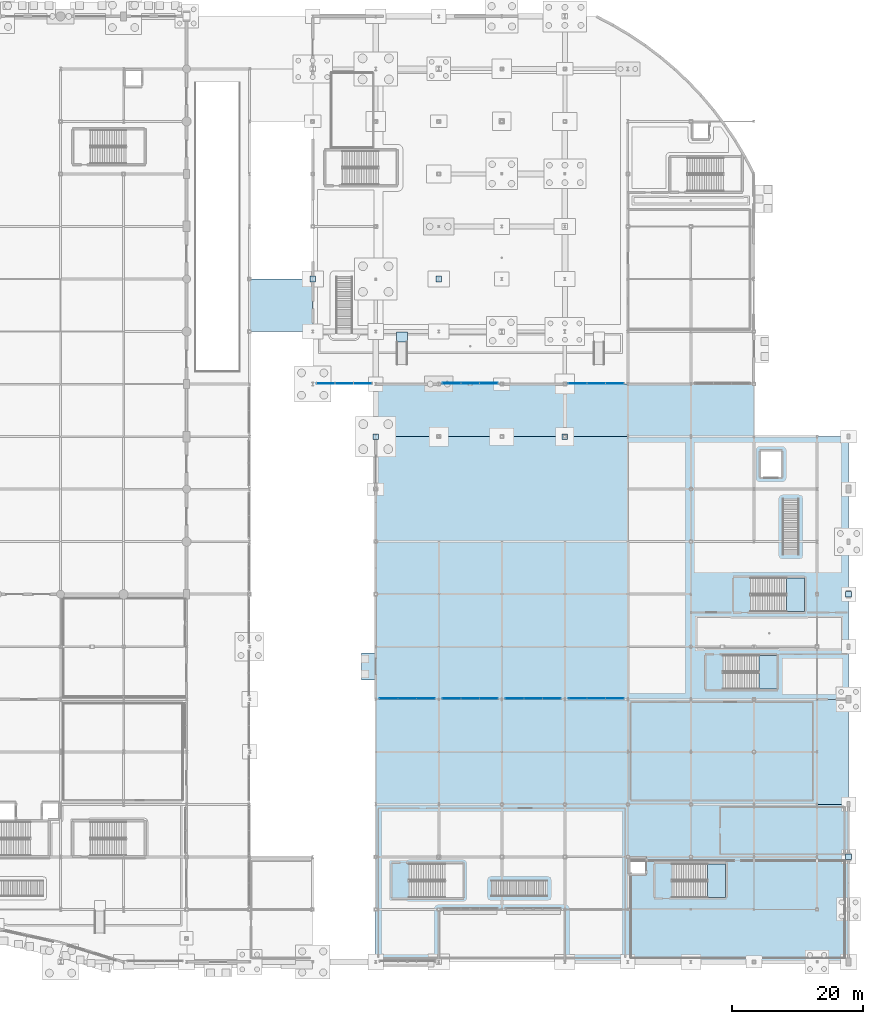
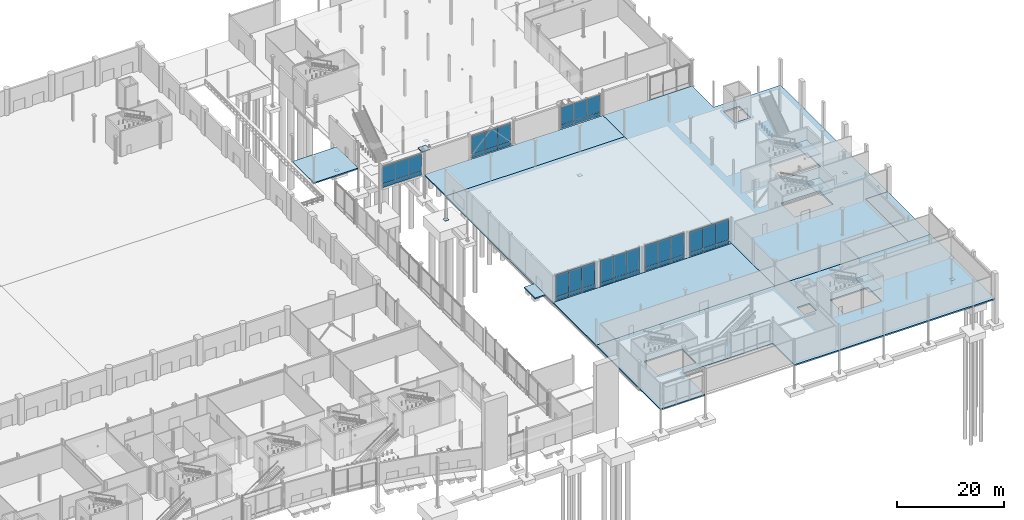
# One storey, part 69 of 124: 48 plates, 12 slabs, 10 elements without a shape of their own.
"""IFC4 building model written with IfcOpenShell, lengths in metres."""

import ifcopenshell
import ifcopenshell.guid

model = None  # the IFC model being written
_history = None  # IfcOwnerHistory: only IFC2X3 demands one
_inside = {}  # id of a spatial element -> (the spatial element, [elements in it])
_under = {}  # id of a project, library or spatial element -> (it, [spatial elements below it])
_declared = {}  # id of a project -> (the project, [libraries it declares])
_typed = {}  # id of a type object -> (the type object, [elements of that type])
_made_of = {}  # id of a material, layer set ... -> (it, [elements and type objects made of it])


def new_model(schema):
    """Start an empty IFC model of exactly this schema.

    Asked for "IFC4X3", IfcOpenShell would pick the latest addendum, in which some entities
    have other attributes; the version numbers below select the first issue.
    IFC2X3 requires an IfcOwnerHistory on every rooted entity: one is made here for all.
    """
    global model, _history
    if schema == "IFC4X3":
        model = ifcopenshell.file(schema_version=(4, 3, 0, 0))
    else:
        model = ifcopenshell.file(schema=schema)
    _inside.clear()
    _under.clear()
    _declared.clear()
    _typed.clear()
    _made_of.clear()
    _history = None
    if model.schema == "IFC2X3":
        org = make("IfcOrganization", Name="unknown")
        user = make(
            "IfcPersonAndOrganization",
            ThePerson=make("IfcPerson", FamilyName="unknown"),
            TheOrganization=org,
        )
        app = make(
            "IfcApplication",
            ApplicationDeveloper=org,
            Version="unknown",
            ApplicationFullName="unknown",
            ApplicationIdentifier="unknown",
        )
        _history = make(
            "IfcOwnerHistory",
            OwningUser=user,
            OwningApplication=app,
            ChangeAction="ADDED",
            CreationDate=0,
        )
    return model


def make(cls, **values):
    """One entity of the class cls with the attributes given. An attribute that is None is left unset."""
    return model.create_entity(
        cls, **{name: value for name, value in values.items() if value is not None}
    )


def rooted(cls, **values):
    """An entity with a GlobalId (a new one), such as an element, a storey or a relation."""
    return make(cls, GlobalId=ifcopenshell.guid.new(), OwnerHistory=_history, **values)


def si_unit(unit_type, name, prefix=None):
    """IfcSIUnit, for example si_unit("LENGTHUNIT", "METRE", prefix="MILLI")."""
    return make("IfcSIUnit", UnitType=unit_type, Prefix=prefix, Name=name)


def assignment(units):
    """IfcUnitAssignment: the units of a project."""
    return None if units is None else make("IfcUnitAssignment", Units=units)


def point(xyz):
    """IfcCartesianPoint."""
    return None if xyz is None else make("IfcCartesianPoint", Coordinates=xyz)


def direction(xyz):
    """IfcDirection."""
    return None if xyz is None else make("IfcDirection", DirectionRatios=xyz)


def frame(location, z_axis=None, x_axis=None):
    """IfcAxis2Placement3D, a coordinate frame: its origin and axes. An axis left out is left unset."""
    return make(
        "IfcAxis2Placement3D",
        Location=point(location),
        Axis=direction(z_axis),
        RefDirection=direction(x_axis),
    )


def frame_2d(location, x_axis=None):
    """IfcAxis2Placement2D, a coordinate frame in the plane: its origin and x axis."""
    return make(
        "IfcAxis2Placement2D", Location=point(location), RefDirection=direction(x_axis)
    )


def origin():
    """The frame at (0, 0, 0) with its axes left unset."""
    return frame((0.0, 0.0, 0.0))


def origin_2d():
    """The frame at (0, 0) in the plane with its x axis left unset."""
    return frame_2d((0.0, 0.0))


def place(relative_to, where):
    """IfcLocalPlacement: puts the frame where relative to a parent placement (None: the world)."""
    return make(
        "IfcLocalPlacement", PlacementRelTo=relative_to, RelativePlacement=where
    )


def context(
    kind, dimensions, precision=None, world=None, true_north=None, identifier=None
):
    """IfcGeometricRepresentationContext, for example the 3D "Model" context."""
    return make(
        "IfcGeometricRepresentationContext",
        ContextIdentifier=identifier,
        ContextType=kind,
        CoordinateSpaceDimension=dimensions,
        Precision=precision,
        WorldCoordinateSystem=world,
        TrueNorth=true_north,
    )


def subcontext(parent, identifier, kind, view, scale=None):
    """IfcGeometricRepresentationSubContext, for example "Body" below "Model"."""
    return make(
        "IfcGeometricRepresentationSubContext",
        ContextIdentifier=identifier,
        ContextType=kind,
        ParentContext=parent,
        TargetScale=scale,
        TargetView=view,
    )


def project(units=None, contexts=None):
    """IfcProject with its units and contexts."""
    return rooted(
        "IfcProject",
        Name="project",
        RepresentationContexts=contexts,
        UnitsInContext=assignment(units),
    )


def spatial(cls, under=None, at=None, **own):
    """A site, building, storey or space (cls), placed at a placement, below another one or the project."""
    s = rooted(cls, ObjectPlacement=at, **own)
    if under is not None:
        _under.setdefault(under.id(), (under, []))[1].append(s)
    return s


def polyline(points):
    """IfcPolyline through the points."""
    return make("IfcPolyline", Points=[point(p) for p in points])


def profile(cls, at=None, kind="AREA", **sizes):
    """A parametric profile (cls). Its sizes go by their IFC names, for example OverallWidth=200.0."""
    return make(cls, ProfileType=kind, Position=at, **sizes)


def rectangle(**sizes):
    """IfcRectangleProfileDef."""
    return profile("IfcRectangleProfileDef", **sizes)


def outline(outer, holes=None, kind="AREA"):
    """IfcArbitraryClosedProfileDef: a profile drawn as a closed curve; with holes, ...WithVoids."""
    if holes is None:
        return make("IfcArbitraryClosedProfileDef", ProfileType=kind, OuterCurve=outer)
    return make(
        "IfcArbitraryProfileDefWithVoids",
        ProfileType=kind,
        OuterCurve=outer,
        InnerCurves=holes,
    )


def extrude(swept, where, along, depth):
    """IfcExtrudedAreaSolid: the profile swept, set in the frame where, extruded along a direction by depth."""
    return make(
        "IfcExtrudedAreaSolid",
        SweptArea=swept,
        Position=where,
        ExtrudedDirection=direction(along),
        Depth=depth,
    )


def shape(context_of_items, identifier, shape_type, items):
    """IfcShapeRepresentation: the items that make up one representation, for example the "Body"."""
    return make(
        "IfcShapeRepresentation",
        ContextOfItems=context_of_items,
        RepresentationIdentifier=identifier,
        RepresentationType=shape_type,
        Items=items,
    )


def material(Name=None, Category=None):
    """IfcMaterial."""
    return make("IfcMaterial", Name=Name, Category=Category)


def layer(
    of_material, thickness, ventilated=None, Name=None, Category=None, Priority=None
):
    """IfcMaterialLayer: one layer of a wall or slab, of a material (None: an air gap)."""
    return make(
        "IfcMaterialLayer",
        Material=of_material,
        LayerThickness=thickness,
        IsVentilated=ventilated,
        Name=Name,
        Category=Category,
        Priority=Priority,
    )


def layer_set(layers, Name=None):
    """IfcMaterialLayerSet."""
    return make("IfcMaterialLayerSet", MaterialLayers=layers, LayerSetName=Name)


def made_of(thing, what):
    """Note that an element or type object is made of a material, layer set ...; save() writes the relation."""
    if what is not None:
        _made_of.setdefault(what.id(), (what, []))[1].append(thing)
    return thing


def type_object(cls, material=None, **own):
    """A type object (cls), such as IfcWallType, which elements share."""
    return made_of(rooted(cls, **own), material)


def element(
    cls,
    number,
    at=None,
    inside=None,
    cuts=None,
    type_object=None,
    material=None,
    context=None,
    identifier="Body",
    shape_type=None,
    held_by="IfcProductDefinitionShape",
    body=None,
    shapes=None,
    **own,
):
    """One element of the class cls, such as IfcWall. Its Tag is "e" and its number.

    at: its placement. inside: the storey or other place that contains it. cuts: it is an
    opening in that element (IfcRelVoidsElement). A single representation is given by context,
    identifier, shape_type and body (its items); several are given by shapes. held_by: the class
    of the entity that holds the representations. save() writes the other relations.
    """
    e = rooted(cls, Tag="e%d" % number, ObjectPlacement=at, **own)
    if body is not None:
        shapes = [shape(context, identifier, shape_type, body)]
    if shapes is not None:
        e.Representation = make(held_by, Representations=shapes)
    if inside is not None:
        _inside.setdefault(inside.id(), (inside, []))[1].append(e)
    if cuts is not None:
        rooted(
            "IfcRelVoidsElement", RelatingBuildingElement=cuts, RelatedOpeningElement=e
        )
    if type_object is not None:
        _typed.setdefault(type_object.id(), (type_object, []))[1].append(e)
    return made_of(e, material)


def aggregate(whole, parts):
    """IfcRelAggregates: a whole, such as a stair, and the parts it consists of."""
    return rooted("IfcRelAggregates", RelatingObject=whole, RelatedObjects=parts)


def save(model, path):
    """Write the relations noted so far, then the file.

    IfcRelAggregates (storeys below a building ...), IfcRelContainedInSpatialStructure (elements
    in a storey), IfcRelDefinesByType, IfcRelAssociatesMaterial and IfcRelDeclares: one each for
    every whole, place, type object, material and project.
    """
    for whole, parts in _under.values():
        aggregate(whole, parts)
    for where, things in _inside.values():
        rooted(
            "IfcRelContainedInSpatialStructure",
            RelatedElements=things,
            RelatingStructure=where,
        )
    for kind, things in _typed.values():
        rooted("IfcRelDefinesByType", RelatedObjects=things, RelatingType=kind)
    for what, things in _made_of.values():
        rooted("IfcRelAssociatesMaterial", RelatedObjects=things, RelatingMaterial=what)
    for by, libraries in _declared.values():
        rooted("IfcRelDeclares", RelatingContext=by, RelatedDefinitions=libraries)
    model.write(path)


model = new_model("IFC4")

# Units and contexts
model_context = context("Model", 3, precision=1e-05, world=origin(), true_north=direction((0.0, 1.0)))
body_context = subcontext(model_context, "Body", "Model", "MODEL_VIEW")
ifc_project = project(units=[si_unit("LENGTHUNIT", "METRE"), si_unit("AREAUNIT", "SQUARE_METRE"), si_unit("VOLUMEUNIT", "CUBIC_METRE"), si_unit("PLANEANGLEUNIT", "RADIAN"), si_unit("MASSUNIT", "GRAM", prefix="KILO")], contexts=[model_context])

# Site, building, storey
site_placement = place(None, origin())
site = spatial("IfcSite", under=ifc_project, at=site_placement, CompositionType="ELEMENT")
building_placement = place(site_placement, origin())
building = spatial("IfcBuilding", under=site, at=building_placement, Name="Danafjord Basin Convention Centre", CompositionType="ELEMENT")
storey_placement = place(building_placement, origin())
storey = spatial("IfcBuildingStorey", under=building, at=storey_placement, Name="L00", CompositionType="ELEMENT", Elevation=0.0)

# Plates
ifc_material_1 = material(Name="Steel S355", Category="steel")
ifc_layer_1 = layer(ifc_material_1, 0.0400390625)
ifc_layer_set_1 = layer_set([ifc_layer_1], Name="Steel S355")
plate_type_1 = type_object("IfcPlateType", Name="PLT-BP-40", PredefinedType="SHEET", material=ifc_layer_set_1)
for number, where, z_axis, x_axis, name in (
    (1, (134.39990234375, 104.0, -5.39990234375), (0.0, 0.0, 1.0), (1.0, 0.0, 0.0), "L00 column baseplate BP-40 at (134.4, 104.0)"),
    (2, (144.0, 80.0, -5.39990234375), (0.0, 0.0, 1.0), (1.0, 0.0, 0.0), "L00 column baseplate BP-40 at (144.0, 80.0)"),
    (3, (153.60009765625, 104.0, -5.39990234375), (0.0, 0.0, 1.0), (1.0, 0.0, 0.0), "L00 column baseplate BP-40 at (153.6, 104.0)"),
    (4, (172.800048828125, 80.0, -5.39990234375), (0.0, 0.0, 1.0), (1.0, 0.0, 0.0), "L00 column baseplate BP-40 at (172.8, 80.0)"),
    (5, (216.0, 16.0, -5.39990234375), (0.0, 0.0, 1.0), (1.0, 0.0, 0.0), "L00 column baseplate BP-40 at (216.0, 16.0)"),
    (6, (216.0, 56.0, -5.39990234375), (0.0, 0.0, 1.0), (1.0, 0.0, 0.0), "L00 column baseplate BP-40 at (216.0, 56.0)"),
):
    element("IfcPlate", number, at=place(storey_placement, frame(where, z_axis=z_axis, x_axis=x_axis)), inside=storey, type_object=plate_type_1, Name=name, PredefinedType="SHEET", context=body_context, shape_type="SweptSolid", body=[
        extrude(rectangle(XDim=0.85009765625, YDim=0.85009765625, at=origin_2d()), origin(), (0.0, 0.0, 1.0), 0.0400390625),
    ])

# Curtain wall, plates
ifc_material_2 = material(Name="Anodised aluminium and triple glazing", Category="aluminium")
curtain_wall_type_1 = type_object("IfcCurtainWallType", Name="CW-CW-DRUM", PredefinedType="NOTDEFINED", material=ifc_material_2)
curtain_wall_1_placement = place(storey_placement, origin())
curtain_wall_1 = element("IfcCurtainWall", 7, at=curtain_wall_1_placement, inside=storey, type_object=curtain_wall_type_1, Name="L00 CW-DRUM unitised curtain wall bay 114", PredefinedType="NOTDEFINED")
ifc_material_3 = material(Name="Triple low-E insulated glazing", Category="glass")
ifc_layer_2 = layer(ifc_material_3, 0.0380859375)
ifc_layer_set_2 = layer_set([ifc_layer_2], Name="Triple low-E insulated glazing")
plate_type_2 = type_object("IfcPlateType", Name="PLT-GP-38", PredefinedType="CURTAIN_PANEL", material=ifc_layer_set_2)
plate_1_placement = place(storey_placement, frame((136.39990234375, 88.1201171875, 0.97802734375), z_axis=(0.0, 0.0, 1.0), x_axis=(1.0, 0.0, 0.0)))
plate_1 = element("IfcPlate", 8, at=plate_1_placement, type_object=plate_type_2, Name="CW-L00-114 vision glazing unit 1", PredefinedType="CURTAIN_PANEL", context=body_context, shape_type="SweptSolid", body=[
    extrude(rectangle(XDim=2.743896484375, YDim=0.0380859375, at=origin_2d()), origin(), (0.0, 0.0, 1.0), 3.904052734375),
])
plate_2_placement = place(storey_placement, frame((139.199951171875, 88.1201171875, 0.97802734375), z_axis=(0.0, 0.0, 1.0), x_axis=(1.0, 0.0, 0.0)))
plate_2 = element("IfcPlate", 9, at=plate_2_placement, type_object=plate_type_2, Name="CW-L00-114 vision glazing unit 2", PredefinedType="CURTAIN_PANEL", context=body_context, shape_type="SweptSolid", body=[
    extrude(rectangle(XDim=2.743896484375, YDim=0.0380859375, at=origin_2d()), origin(), (0.0, 0.0, 1.0), 3.904052734375),
])
plate_3_placement = place(storey_placement, frame((142.0, 88.1201171875, 0.97802734375), z_axis=(0.0, 0.0, 1.0), x_axis=(1.0, 0.0, 0.0)))
plate_3 = element("IfcPlate", 10, at=plate_3_placement, type_object=plate_type_2, Name="CW-L00-114 vision glazing unit 3", PredefinedType="CURTAIN_PANEL", context=body_context, shape_type="SweptSolid", body=[
    extrude(rectangle(XDim=2.743896484375, YDim=0.0380859375, at=origin_2d()), origin(), (0.0, 0.0, 1.0), 3.904052734375),
])

curtain_wall_2_placement = place(storey_placement, origin())
curtain_wall_2 = element("IfcCurtainWall", 11, at=curtain_wall_2_placement, inside=storey, type_object=curtain_wall_type_1, Name="L00 CW-DRUM unitised curtain wall bay 116", PredefinedType="NOTDEFINED")
plate_4_placement = place(storey_placement, frame((174.800048828125, 88.1201171875, 0.97802734375), z_axis=(0.0, 0.0, 1.0), x_axis=(1.0, 0.0, 0.0)))
plate_4 = element("IfcPlate", 12, at=plate_4_placement, type_object=plate_type_2, Name="CW-L00-116 vision glazing unit 1", PredefinedType="CURTAIN_PANEL", context=body_context, shape_type="SweptSolid", body=[
    extrude(rectangle(XDim=2.743896484375, YDim=0.0380859375, at=origin_2d()), origin(), (0.0, 0.0, 1.0), 3.904052734375),
])
plate_5_placement = place(storey_placement, frame((177.60009765625, 88.1201171875, 0.97802734375), z_axis=(0.0, 0.0, 1.0), x_axis=(1.0, 0.0, 0.0)))
plate_5 = element("IfcPlate", 13, at=plate_5_placement, type_object=plate_type_2, Name="CW-L00-116 vision glazing unit 2", PredefinedType="CURTAIN_PANEL", context=body_context, shape_type="SweptSolid", body=[
    extrude(rectangle(XDim=2.743896484375, YDim=0.0380859375, at=origin_2d()), origin(), (0.0, 0.0, 1.0), 3.904052734375),
])
plate_6_placement = place(storey_placement, frame((180.39990234375, 88.1201171875, 0.97802734375), z_axis=(0.0, 0.0, 1.0), x_axis=(1.0, 0.0, 0.0)))
plate_6 = element("IfcPlate", 14, at=plate_6_placement, type_object=plate_type_2, Name="CW-L00-116 vision glazing unit 3", PredefinedType="CURTAIN_PANEL", context=body_context, shape_type="SweptSolid", body=[
    extrude(rectangle(XDim=2.743896484375, YDim=0.0380859375, at=origin_2d()), origin(), (0.0, 0.0, 1.0), 3.904052734375),
])

curtain_wall_type_2 = type_object("IfcCurtainWallType", Name="CW-CW-HARB", PredefinedType="NOTDEFINED", material=ifc_material_2)
curtain_wall_3_placement = place(storey_placement, origin())
curtain_wall_3 = element("IfcCurtainWall", 15, at=curtain_wall_3_placement, inside=storey, type_object=curtain_wall_type_2, Name="L00 CW-HARB unitised curtain wall bay 130", PredefinedType="NOTDEFINED")
plate_7_placement = place(storey_placement, frame((146.0, 40.1201171875, 0.97802734375), z_axis=(0.0, 0.0, 1.0), x_axis=(1.0, 0.0, 0.0)))
plate_7 = element("IfcPlate", 16, at=plate_7_placement, type_object=plate_type_2, Name="CW-L00-130 vision glazing unit 1", PredefinedType="CURTAIN_PANEL", context=body_context, shape_type="SweptSolid", body=[
    extrude(rectangle(XDim=2.743896484375, YDim=0.0380859375, at=origin_2d()), origin(), (0.0, 0.0, 1.0), 4.93408203125),
])
plate_8_placement = place(storey_placement, frame((148.800048828125, 40.1201171875, 0.97802734375), z_axis=(0.0, 0.0, 1.0), x_axis=(1.0, 0.0, 0.0)))
plate_8 = element("IfcPlate", 17, at=plate_8_placement, type_object=plate_type_2, Name="CW-L00-130 vision glazing unit 2", PredefinedType="CURTAIN_PANEL", context=body_context, shape_type="SweptSolid", body=[
    extrude(rectangle(XDim=2.743896484375, YDim=0.0380859375, at=origin_2d()), origin(), (0.0, 0.0, 1.0), 4.93408203125),
])
plate_9_placement = place(storey_placement, frame((151.60009765625, 40.1201171875, 0.97802734375), z_axis=(0.0, 0.0, 1.0), x_axis=(1.0, 0.0, 0.0)))
plate_9 = element("IfcPlate", 18, at=plate_9_placement, type_object=plate_type_2, Name="CW-L00-130 vision glazing unit 3", PredefinedType="CURTAIN_PANEL", context=body_context, shape_type="SweptSolid", body=[
    extrude(rectangle(XDim=2.743896484375, YDim=0.0380859375, at=origin_2d()), origin(), (0.0, 0.0, 1.0), 4.93408203125),
])

curtain_wall_4_placement = place(storey_placement, origin())
curtain_wall_4 = element("IfcCurtainWall", 19, at=curtain_wall_4_placement, inside=storey, type_object=curtain_wall_type_2, Name="L00 CW-HARB unitised curtain wall bay 132", PredefinedType="NOTDEFINED")
plate_10_placement = place(storey_placement, frame((165.199951171875, 40.1201171875, 0.97802734375), z_axis=(0.0, 0.0, 1.0), x_axis=(1.0, 0.0, 0.0)))
plate_10 = element("IfcPlate", 20, at=plate_10_placement, type_object=plate_type_2, Name="CW-L00-132 vision glazing unit 1", PredefinedType="CURTAIN_PANEL", context=body_context, shape_type="SweptSolid", body=[
    extrude(rectangle(XDim=2.743896484375, YDim=0.0380859375, at=origin_2d()), origin(), (0.0, 0.0, 1.0), 4.93408203125),
])
plate_11_placement = place(storey_placement, frame((168.0, 40.1201171875, 0.97802734375), z_axis=(0.0, 0.0, 1.0), x_axis=(1.0, 0.0, 0.0)))
plate_11 = element("IfcPlate", 21, at=plate_11_placement, type_object=plate_type_2, Name="CW-L00-132 vision glazing unit 2", PredefinedType="CURTAIN_PANEL", context=body_context, shape_type="SweptSolid", body=[
    extrude(rectangle(XDim=2.743896484375, YDim=0.0380859375, at=origin_2d()), origin(), (0.0, 0.0, 1.0), 4.93408203125),
])
plate_12_placement = place(storey_placement, frame((170.800048828125, 40.1201171875, 0.97802734375), z_axis=(0.0, 0.0, 1.0), x_axis=(1.0, 0.0, 0.0)))
plate_12 = element("IfcPlate", 22, at=plate_12_placement, type_object=plate_type_2, Name="CW-L00-132 vision glazing unit 3", PredefinedType="CURTAIN_PANEL", context=body_context, shape_type="SweptSolid", body=[
    extrude(rectangle(XDim=2.743896484375, YDim=0.0380859375, at=origin_2d()), origin(), (0.0, 0.0, 1.0), 4.93408203125),
])

curtain_wall_5_placement = place(storey_placement, origin())
curtain_wall_5 = element("IfcCurtainWall", 23, at=curtain_wall_5_placement, inside=storey, type_object=curtain_wall_type_1, Name="L00 CW-DRUM unitised curtain wall bay 115", PredefinedType="NOTDEFINED")
ifc_layer_3 = layer(ifc_material_3, 0.048095703125)
ifc_layer_set_3 = layer_set([ifc_layer_3], Name="Triple low-E insulated glazing")
plate_type_3 = type_object("IfcPlateType", Name="PLT-GP-48", PredefinedType="CURTAIN_PANEL", material=ifc_layer_set_3)
plate_13_placement = place(storey_placement, frame((155.60009765625, 88.1201171875, 0.97802734375), z_axis=(0.0, 0.0, 1.0), x_axis=(1.0, 0.0, 0.0)))
plate_13 = element("IfcPlate", 24, at=plate_13_placement, type_object=plate_type_3, Name="CW-L00-115 vision glazing unit 1", PredefinedType="CURTAIN_PANEL", context=body_context, shape_type="SweptSolid", body=[
    extrude(rectangle(XDim=2.743896484375, YDim=0.048095703125, at=origin_2d()), origin(), (0.0, 0.0, 1.0), 4.10400390625),
])
plate_14_placement = place(storey_placement, frame((158.39990234375, 88.1201171875, 0.97802734375), z_axis=(0.0, 0.0, 1.0), x_axis=(1.0, 0.0, 0.0)))
plate_14 = element("IfcPlate", 25, at=plate_14_placement, type_object=plate_type_3, Name="CW-L00-115 vision glazing unit 2", PredefinedType="CURTAIN_PANEL", context=body_context, shape_type="SweptSolid", body=[
    extrude(rectangle(XDim=2.743896484375, YDim=0.048095703125, at=origin_2d()), origin(), (0.0, 0.0, 1.0), 4.10400390625),
])
plate_15_placement = place(storey_placement, frame((161.199951171875, 88.1201171875, 0.97802734375), z_axis=(0.0, 0.0, 1.0), x_axis=(1.0, 0.0, 0.0)))
plate_15 = element("IfcPlate", 26, at=plate_15_placement, type_object=plate_type_3, Name="CW-L00-115 vision glazing unit 3", PredefinedType="CURTAIN_PANEL", context=body_context, shape_type="SweptSolid", body=[
    extrude(rectangle(XDim=2.743896484375, YDim=0.048095703125, at=origin_2d()), origin(), (0.0, 0.0, 1.0), 4.10400390625),
])

curtain_wall_6_placement = place(storey_placement, origin())
curtain_wall_6 = element("IfcCurtainWall", 27, at=curtain_wall_6_placement, inside=storey, type_object=curtain_wall_type_2, Name="L00 CW-HARB unitised curtain wall bay 131", PredefinedType="NOTDEFINED")
plate_16_placement = place(storey_placement, frame((155.60009765625, 40.1201171875, 0.97802734375), z_axis=(0.0, 0.0, 1.0), x_axis=(1.0, 0.0, 0.0)))
plate_16 = element("IfcPlate", 28, at=plate_16_placement, type_object=plate_type_3, Name="CW-L00-131 vision glazing unit 1", PredefinedType="CURTAIN_PANEL", context=body_context, shape_type="SweptSolid", body=[
    extrude(rectangle(XDim=2.743896484375, YDim=0.048095703125, at=origin_2d()), origin(), (0.0, 0.0, 1.0), 4.93408203125),
])
plate_17_placement = place(storey_placement, frame((158.39990234375, 40.1201171875, 0.97802734375), z_axis=(0.0, 0.0, 1.0), x_axis=(1.0, 0.0, 0.0)))
plate_17 = element("IfcPlate", 29, at=plate_17_placement, type_object=plate_type_3, Name="CW-L00-131 vision glazing unit 2", PredefinedType="CURTAIN_PANEL", context=body_context, shape_type="SweptSolid", body=[
    extrude(rectangle(XDim=2.743896484375, YDim=0.048095703125, at=origin_2d()), origin(), (0.0, 0.0, 1.0), 4.93408203125),
])
plate_18_placement = place(storey_placement, frame((161.199951171875, 40.1201171875, 0.97802734375), z_axis=(0.0, 0.0, 1.0), x_axis=(1.0, 0.0, 0.0)))
plate_18 = element("IfcPlate", 30, at=plate_18_placement, type_object=plate_type_3, Name="CW-L00-131 vision glazing unit 3", PredefinedType="CURTAIN_PANEL", context=body_context, shape_type="SweptSolid", body=[
    extrude(rectangle(XDim=2.743896484375, YDim=0.048095703125, at=origin_2d()), origin(), (0.0, 0.0, 1.0), 4.93408203125),
])

curtain_wall_7_placement = place(storey_placement, origin())
curtain_wall_7 = element("IfcCurtainWall", 31, at=curtain_wall_7_placement, inside=storey, type_object=curtain_wall_type_2, Name="L00 CW-HARB unitised curtain wall bay 133", PredefinedType="NOTDEFINED")
plate_19_placement = place(storey_placement, frame((174.800048828125, 40.1201171875, 0.97802734375), z_axis=(0.0, 0.0, 1.0), x_axis=(1.0, 0.0, 0.0)))
plate_19 = element("IfcPlate", 32, at=plate_19_placement, type_object=plate_type_3, Name="CW-L00-133 vision glazing unit 1", PredefinedType="CURTAIN_PANEL", context=body_context, shape_type="SweptSolid", body=[
    extrude(rectangle(XDim=2.743896484375, YDim=0.048095703125, at=origin_2d()), origin(), (0.0, 0.0, 1.0), 4.68408203125),
])
plate_20_placement = place(storey_placement, frame((177.60009765625, 40.1201171875, 0.97802734375), z_axis=(0.0, 0.0, 1.0), x_axis=(1.0, 0.0, 0.0)))
plate_20 = element("IfcPlate", 33, at=plate_20_placement, type_object=plate_type_3, Name="CW-L00-133 vision glazing unit 2", PredefinedType="CURTAIN_PANEL", context=body_context, shape_type="SweptSolid", body=[
    extrude(rectangle(XDim=2.743896484375, YDim=0.048095703125, at=origin_2d()), origin(), (0.0, 0.0, 1.0), 4.68408203125),
])
plate_21_placement = place(storey_placement, frame((180.39990234375, 40.1201171875, 0.97802734375), z_axis=(0.0, 0.0, 1.0), x_axis=(1.0, 0.0, 0.0)))
plate_21 = element("IfcPlate", 34, at=plate_21_placement, type_object=plate_type_3, Name="CW-L00-133 vision glazing unit 3", PredefinedType="CURTAIN_PANEL", context=body_context, shape_type="SweptSolid", body=[
    extrude(rectangle(XDim=2.743896484375, YDim=0.048095703125, at=origin_2d()), origin(), (0.0, 0.0, 1.0), 4.68408203125),
])

# Plate
ifc_material_4 = material(Name="Insulated aluminium spandrel cassette", Category="aluminium")
ifc_layer_4 = layer(ifc_material_4, 0.070068359375)
ifc_layer_set_4 = layer_set([ifc_layer_4], Name="Insulated aluminium spandrel cassette")
plate_type_4 = type_object("IfcPlateType", Name="PLT-SPN-70", PredefinedType="CURTAIN_PANEL", material=ifc_layer_set_4)
plate_22_placement = place(storey_placement, frame((136.39990234375, 88.1201171875, 0.087890625), z_axis=(0.0, 0.0, 1.0), x_axis=(1.0, 0.0, 0.0)))
plate_22 = element("IfcPlate", 35, at=plate_22_placement, type_object=plate_type_4, Name="CW-L00-114 spandrel cassette 1", PredefinedType="CURTAIN_PANEL", context=body_context, shape_type="SweptSolid", body=[
    extrude(rectangle(XDim=2.743896484375, YDim=0.070068359375, at=origin_2d()), origin(), (0.0, 0.0, 1.0), 0.833984375),
])

plate_23_placement = place(storey_placement, frame((139.199951171875, 88.1201171875, 0.087890625), z_axis=(0.0, 0.0, 1.0), x_axis=(1.0, 0.0, 0.0)))
plate_23 = element("IfcPlate", 36, at=plate_23_placement, type_object=plate_type_4, Name="CW-L00-114 spandrel cassette 2", PredefinedType="CURTAIN_PANEL", context=body_context, shape_type="SweptSolid", body=[
    extrude(rectangle(XDim=2.743896484375, YDim=0.070068359375, at=origin_2d()), origin(), (0.0, 0.0, 1.0), 0.833984375),
])

plate_24_placement = place(storey_placement, frame((142.0, 88.1201171875, 0.087890625), z_axis=(0.0, 0.0, 1.0), x_axis=(1.0, 0.0, 0.0)))
plate_24 = element("IfcPlate", 37, at=plate_24_placement, type_object=plate_type_4, Name="CW-L00-114 spandrel cassette 3", PredefinedType="CURTAIN_PANEL", context=body_context, shape_type="SweptSolid", body=[
    extrude(rectangle(XDim=2.743896484375, YDim=0.070068359375, at=origin_2d()), origin(), (0.0, 0.0, 1.0), 0.833984375),
])

aggregate(curtain_wall_1, [plate_22, plate_1, plate_23, plate_2, plate_24, plate_3])

plate_25_placement = place(storey_placement, frame((174.800048828125, 88.1201171875, 0.087890625), z_axis=(0.0, 0.0, 1.0), x_axis=(1.0, 0.0, 0.0)))
plate_25 = element("IfcPlate", 38, at=plate_25_placement, type_object=plate_type_4, Name="CW-L00-116 spandrel cassette 1", PredefinedType="CURTAIN_PANEL", context=body_context, shape_type="SweptSolid", body=[
    extrude(rectangle(XDim=2.743896484375, YDim=0.070068359375, at=origin_2d()), origin(), (0.0, 0.0, 1.0), 0.833984375),
])

plate_26_placement = place(storey_placement, frame((177.60009765625, 88.1201171875, 0.087890625), z_axis=(0.0, 0.0, 1.0), x_axis=(1.0, 0.0, 0.0)))
plate_26 = element("IfcPlate", 39, at=plate_26_placement, type_object=plate_type_4, Name="CW-L00-116 spandrel cassette 2", PredefinedType="CURTAIN_PANEL", context=body_context, shape_type="SweptSolid", body=[
    extrude(rectangle(XDim=2.743896484375, YDim=0.070068359375, at=origin_2d()), origin(), (0.0, 0.0, 1.0), 0.833984375),
])

plate_27_placement = place(storey_placement, frame((180.39990234375, 88.1201171875, 0.087890625), z_axis=(0.0, 0.0, 1.0), x_axis=(1.0, 0.0, 0.0)))
plate_27 = element("IfcPlate", 40, at=plate_27_placement, type_object=plate_type_4, Name="CW-L00-116 spandrel cassette 3", PredefinedType="CURTAIN_PANEL", context=body_context, shape_type="SweptSolid", body=[
    extrude(rectangle(XDim=2.743896484375, YDim=0.070068359375, at=origin_2d()), origin(), (0.0, 0.0, 1.0), 0.833984375),
])

aggregate(curtain_wall_2, [plate_25, plate_4, plate_26, plate_5, plate_27, plate_6])

plate_28_placement = place(storey_placement, frame((146.0, 40.1201171875, 0.087890625), z_axis=(0.0, 0.0, 1.0), x_axis=(1.0, 0.0, 0.0)))
plate_28 = element("IfcPlate", 41, at=plate_28_placement, type_object=plate_type_4, Name="CW-L00-130 spandrel cassette 1", PredefinedType="CURTAIN_PANEL", context=body_context, shape_type="SweptSolid", body=[
    extrude(rectangle(XDim=2.743896484375, YDim=0.070068359375, at=origin_2d()), origin(), (0.0, 0.0, 1.0), 0.833984375),
])

plate_29_placement = place(storey_placement, frame((148.800048828125, 40.1201171875, 0.087890625), z_axis=(0.0, 0.0, 1.0), x_axis=(1.0, 0.0, 0.0)))
plate_29 = element("IfcPlate", 42, at=plate_29_placement, type_object=plate_type_4, Name="CW-L00-130 spandrel cassette 2", PredefinedType="CURTAIN_PANEL", context=body_context, shape_type="SweptSolid", body=[
    extrude(rectangle(XDim=2.743896484375, YDim=0.070068359375, at=origin_2d()), origin(), (0.0, 0.0, 1.0), 0.833984375),
])

plate_30_placement = place(storey_placement, frame((151.60009765625, 40.1201171875, 0.087890625), z_axis=(0.0, 0.0, 1.0), x_axis=(1.0, 0.0, 0.0)))
plate_30 = element("IfcPlate", 43, at=plate_30_placement, type_object=plate_type_4, Name="CW-L00-130 spandrel cassette 3", PredefinedType="CURTAIN_PANEL", context=body_context, shape_type="SweptSolid", body=[
    extrude(rectangle(XDim=2.743896484375, YDim=0.070068359375, at=origin_2d()), origin(), (0.0, 0.0, 1.0), 0.833984375),
])

aggregate(curtain_wall_3, [plate_28, plate_7, plate_29, plate_8, plate_30, plate_9])

plate_31_placement = place(storey_placement, frame((165.199951171875, 40.1201171875, 0.087890625), z_axis=(0.0, 0.0, 1.0), x_axis=(1.0, 0.0, 0.0)))
plate_31 = element("IfcPlate", 44, at=plate_31_placement, type_object=plate_type_4, Name="CW-L00-132 spandrel cassette 1", PredefinedType="CURTAIN_PANEL", context=body_context, shape_type="SweptSolid", body=[
    extrude(rectangle(XDim=2.743896484375, YDim=0.070068359375, at=origin_2d()), origin(), (0.0, 0.0, 1.0), 0.833984375),
])

plate_32_placement = place(storey_placement, frame((168.0, 40.1201171875, 0.087890625), z_axis=(0.0, 0.0, 1.0), x_axis=(1.0, 0.0, 0.0)))
plate_32 = element("IfcPlate", 45, at=plate_32_placement, type_object=plate_type_4, Name="CW-L00-132 spandrel cassette 2", PredefinedType="CURTAIN_PANEL", context=body_context, shape_type="SweptSolid", body=[
    extrude(rectangle(XDim=2.743896484375, YDim=0.070068359375, at=origin_2d()), origin(), (0.0, 0.0, 1.0), 0.833984375),
])

plate_33_placement = place(storey_placement, frame((170.800048828125, 40.1201171875, 0.087890625), z_axis=(0.0, 0.0, 1.0), x_axis=(1.0, 0.0, 0.0)))
plate_33 = element("IfcPlate", 46, at=plate_33_placement, type_object=plate_type_4, Name="CW-L00-132 spandrel cassette 3", PredefinedType="CURTAIN_PANEL", context=body_context, shape_type="SweptSolid", body=[
    extrude(rectangle(XDim=2.743896484375, YDim=0.070068359375, at=origin_2d()), origin(), (0.0, 0.0, 1.0), 0.833984375),
])

aggregate(curtain_wall_4, [plate_31, plate_10, plate_32, plate_11, plate_33, plate_12])

ifc_layer_5 = layer(ifc_material_4, 0.090087890625)
ifc_layer_set_5 = layer_set([ifc_layer_5], Name="Insulated aluminium spandrel cassette")
plate_type_5 = type_object("IfcPlateType", Name="PLT-SPN-90", PredefinedType="CURTAIN_PANEL", material=ifc_layer_set_5)
plate_34_placement = place(storey_placement, frame((155.60009765625, 88.1201171875, 0.087890625), z_axis=(0.0, 0.0, 1.0), x_axis=(1.0, 0.0, 0.0)))
plate_34 = element("IfcPlate", 47, at=plate_34_placement, type_object=plate_type_5, Name="CW-L00-115 spandrel cassette 1", PredefinedType="CURTAIN_PANEL", context=body_context, shape_type="SweptSolid", body=[
    extrude(rectangle(XDim=2.743896484375, YDim=0.090087890625, at=origin_2d()), origin(), (0.0, 0.0, 1.0), 0.833984375),
])

plate_35_placement = place(storey_placement, frame((158.39990234375, 88.1201171875, 0.087890625), z_axis=(0.0, 0.0, 1.0), x_axis=(1.0, 0.0, 0.0)))
plate_35 = element("IfcPlate", 48, at=plate_35_placement, type_object=plate_type_5, Name="CW-L00-115 spandrel cassette 2", PredefinedType="CURTAIN_PANEL", context=body_context, shape_type="SweptSolid", body=[
    extrude(rectangle(XDim=2.743896484375, YDim=0.090087890625, at=origin_2d()), origin(), (0.0, 0.0, 1.0), 0.833984375),
])

plate_36_placement = place(storey_placement, frame((161.199951171875, 88.1201171875, 0.087890625), z_axis=(0.0, 0.0, 1.0), x_axis=(1.0, 0.0, 0.0)))
plate_36 = element("IfcPlate", 49, at=plate_36_placement, type_object=plate_type_5, Name="CW-L00-115 spandrel cassette 3", PredefinedType="CURTAIN_PANEL", context=body_context, shape_type="SweptSolid", body=[
    extrude(rectangle(XDim=2.743896484375, YDim=0.090087890625, at=origin_2d()), origin(), (0.0, 0.0, 1.0), 0.833984375),
])

aggregate(curtain_wall_5, [plate_34, plate_13, plate_35, plate_14, plate_36, plate_15])

plate_37_placement = place(storey_placement, frame((155.60009765625, 40.1201171875, 0.087890625), z_axis=(0.0, 0.0, 1.0), x_axis=(1.0, 0.0, 0.0)))
plate_37 = element("IfcPlate", 50, at=plate_37_placement, type_object=plate_type_5, Name="CW-L00-131 spandrel cassette 1", PredefinedType="CURTAIN_PANEL", context=body_context, shape_type="SweptSolid", body=[
    extrude(rectangle(XDim=2.743896484375, YDim=0.090087890625, at=origin_2d()), origin(), (0.0, 0.0, 1.0), 0.833984375),
])

plate_38_placement = place(storey_placement, frame((158.39990234375, 40.1201171875, 0.087890625), z_axis=(0.0, 0.0, 1.0), x_axis=(1.0, 0.0, 0.0)))
plate_38 = element("IfcPlate", 51, at=plate_38_placement, type_object=plate_type_5, Name="CW-L00-131 spandrel cassette 2", PredefinedType="CURTAIN_PANEL", context=body_context, shape_type="SweptSolid", body=[
    extrude(rectangle(XDim=2.743896484375, YDim=0.090087890625, at=origin_2d()), origin(), (0.0, 0.0, 1.0), 0.833984375),
])

plate_39_placement = place(storey_placement, frame((161.199951171875, 40.1201171875, 0.087890625), z_axis=(0.0, 0.0, 1.0), x_axis=(1.0, 0.0, 0.0)))
plate_39 = element("IfcPlate", 52, at=plate_39_placement, type_object=plate_type_5, Name="CW-L00-131 spandrel cassette 3", PredefinedType="CURTAIN_PANEL", context=body_context, shape_type="SweptSolid", body=[
    extrude(rectangle(XDim=2.743896484375, YDim=0.090087890625, at=origin_2d()), origin(), (0.0, 0.0, 1.0), 0.833984375),
])

aggregate(curtain_wall_6, [plate_37, plate_16, plate_38, plate_17, plate_39, plate_18])

plate_40_placement = place(storey_placement, frame((174.800048828125, 40.1201171875, 0.087890625), z_axis=(0.0, 0.0, 1.0), x_axis=(1.0, 0.0, 0.0)))
plate_40 = element("IfcPlate", 53, at=plate_40_placement, type_object=plate_type_5, Name="CW-L00-133 spandrel cassette 1", PredefinedType="CURTAIN_PANEL", context=body_context, shape_type="SweptSolid", body=[
    extrude(rectangle(XDim=2.743896484375, YDim=0.090087890625, at=origin_2d()), origin(), (0.0, 0.0, 1.0), 0.833984375),
])

plate_41_placement = place(storey_placement, frame((177.60009765625, 40.1201171875, 0.087890625), z_axis=(0.0, 0.0, 1.0), x_axis=(1.0, 0.0, 0.0)))
plate_41 = element("IfcPlate", 54, at=plate_41_placement, type_object=plate_type_5, Name="CW-L00-133 spandrel cassette 2", PredefinedType="CURTAIN_PANEL", context=body_context, shape_type="SweptSolid", body=[
    extrude(rectangle(XDim=2.743896484375, YDim=0.090087890625, at=origin_2d()), origin(), (0.0, 0.0, 1.0), 0.833984375),
])

plate_42_placement = place(storey_placement, frame((180.39990234375, 40.1201171875, 0.087890625), z_axis=(0.0, 0.0, 1.0), x_axis=(1.0, 0.0, 0.0)))
plate_42 = element("IfcPlate", 55, at=plate_42_placement, type_object=plate_type_5, Name="CW-L00-133 spandrel cassette 3", PredefinedType="CURTAIN_PANEL", context=body_context, shape_type="SweptSolid", body=[
    extrude(rectangle(XDim=2.743896484375, YDim=0.090087890625, at=origin_2d()), origin(), (0.0, 0.0, 1.0), 0.833984375),
])

aggregate(curtain_wall_7, [plate_40, plate_19, plate_41, plate_20, plate_42, plate_21])

# Slabs
ifc_material_5 = material(Name="Concrete C40/50", Category="concrete")
ifc_layer_6 = layer(ifc_material_5, 0.280029296875)
ifc_layer_set_6 = layer_set([ifc_layer_6], Name="Concrete C40/50")
slab_type_1 = type_object("IfcSlabType", Name="SLAB-EXT-280", PredefinedType="FLOOR", material=ifc_layer_set_6)
slab_1_placement = place(storey_placement, frame((0.0, 0.0, -0.280029296875)))
element("IfcSlab", 56, at=slab_1_placement, inside=storey, type_object=slab_type_1, Name="L00 exterior courtyard apron slab SL-L00-CRTN", PredefinedType="FLOOR", context=body_context, shape_type="SweptSolid", body=[
    extrude(outline(polyline([(124.800048828125, 96.0), (124.800048828125, 104.0), (134.35009765625, 104.0), (134.35009765625, 96.0), (124.800048828125, 96.0)])), origin(), (0.0, 0.0, 1.0), 0.280029296875),
])
slab_2_placement = place(storey_placement, frame((0.0, 0.0, -0.280029296875)))
element("IfcSlab", 57, at=slab_2_placement, inside=storey, type_object=slab_type_1, Name="L00 exterior courtyard apron slab SL-L00-CRTE1", PredefinedType="FLOOR", context=body_context, shape_type="SweptSolid", body=[
    extrude(outline(polyline([(144.0, 24.0), (144.0, 40.0), (182.39990234375, 40.0), (182.39990234375, 24.0), (144.0, 24.0)])), origin(), (0.0, 0.0, 1.0), 0.280029296875),
])
slab_3_placement = place(storey_placement, frame((0.0, 0.0, -0.280029296875)))
element("IfcSlab", 58, at=slab_3_placement, inside=storey, type_object=slab_type_1, Name="L00 exterior courtyard apron slab SL-L00-CRTE2", PredefinedType="FLOOR", context=body_context, shape_type="SweptSolid", body=[
    extrude(outline(polyline([(144.0, 80.0), (144.0, 88.0), (182.39990234375, 88.0), (182.39990234375, 80.0), (144.0, 80.0)])), origin(), (0.0, 0.0, 1.0), 0.280029296875),
])
slab_4_placement = place(storey_placement, frame((0.0, 0.0, -0.280029296875)))
element("IfcSlab", 59, at=slab_4_placement, inside=storey, type_object=slab_type_1, Name="L00 exterior threshold apron V35EX72", PredefinedType="FLOOR", context=body_context, shape_type="SweptSolid", body=[
    extrude(outline(polyline([(141.800048828125, 42.929931640625), (141.800048828125, 47.070068359375), (143.985107421875, 47.070068359375), (143.985107421875, 42.929931640625), (141.800048828125, 42.929931640625)])), origin(), (0.0, 0.0, 1.0), 0.280029296875),
])
ifc_layer_7 = layer(ifc_material_5, 0.294921875)
ifc_layer_set_7 = layer_set([ifc_layer_7], Name="Concrete C40/50")
slab_type_2 = type_object("IfcSlabType", Name="SLAB-EXT-295", PredefinedType="FLOOR", material=ifc_layer_set_7)
slab_5_placement = place(storey_placement, frame((0.0, 0.0, -0.294921875)))
element("IfcSlab", 60, at=slab_5_placement, inside=storey, type_object=slab_type_2, Name="L00 exterior courtyard apron slab SL-L00-CRTE3", PredefinedType="FLOOR", context=body_context, shape_type="SweptSolid", body=[
    extrude(outline(polyline([(211.199951171875, 24.0), (211.199951171875, 40.0), (216.0, 40.0), (216.0, 24.0), (211.199951171875, 24.0)])), origin(), (0.0, 0.0, 1.0), 0.294921875),
])
ifc_material_6 = material(Name="Concrete C35/45", Category="concrete")
ifc_layer_8 = layer(ifc_material_6, 0.31005859375)
ifc_layer_set_8 = layer_set([ifc_layer_8], Name="Concrete C35/45")
slab_type_3 = type_object("IfcSlabType", Name="SLAB-FS-310", PredefinedType="FLOOR", material=ifc_layer_set_8)
slab_6_placement = place(storey_placement, frame((0.0, 0.0, -0.31005859375)))
element("IfcSlab", 61, at=slab_6_placement, inside=storey, type_object=slab_type_3, Name="L00 FS-310 slab SL-L00-V5", PredefinedType="FLOOR", context=body_context, shape_type="SweptSolid", body=[
    extrude(outline(polyline([(144.0, 24.0), (216.0, 24.0), (216.0, 0.0), (172.800048828125, 0.0), (172.800048828125, 8.0), (153.60009765625, 8.0), (153.60009765625, 0.0), (144.0, 0.0), (144.0, 24.0)]), holes=[polyline([(189.080078125, 14.949951171875), (189.080078125, 9.81005859375), (197.280029296875, 9.81005859375), (197.280029296875, 14.949951171875), (189.080078125, 14.949951171875)]), polyline([(182.60009765625, 13.300048828125), (185.199951171875, 13.300048828125), (185.199951171875, 15.89990234375), (182.60009765625, 15.89990234375), (182.60009765625, 13.300048828125)]), polyline([(149.080078125, 9.81005859375), (157.280029296875, 9.81005859375), (157.280029296875, 14.949951171875), (149.080078125, 14.949951171875), (149.080078125, 9.81005859375)])]), origin(), (0.0, 0.0, 1.0), 0.31005859375),
])
ifc_layer_9 = layer(ifc_material_6, 0.360107421875)
ifc_layer_set_9 = layer_set([ifc_layer_9], Name="Concrete C35/45")
slab_type_4 = type_object("IfcSlabType", Name="SLAB-FS-360", PredefinedType="FLOOR", material=ifc_layer_set_9)
slab_7_placement = place(storey_placement, frame((0.0, 0.0, -0.360107421875)))
element("IfcSlab", 62, at=slab_7_placement, inside=storey, type_object=slab_type_4, Name="L00 FS-360 slab SL-L00-V3E", PredefinedType="FLOOR", context=body_context, shape_type="SweptSolid", body=[
    extrude(outline(polyline([(182.39990234375, 88.0), (201.60009765625, 88.0), (201.60009765625, 80.0), (216.0, 80.0), (216.0, 40.0), (211.199951171875, 40.0), (211.199951171875, 24.0), (182.39990234375, 24.0), (182.39990234375, 88.0)]), holes=[polyline([(201.080078125, 53.360107421875), (209.280029296875, 53.360107421875), (209.280029296875, 58.5), (201.080078125, 58.5), (201.080078125, 53.360107421875)]), polyline([(202.5, 77.89990234375), (202.5, 73.699951171875), (205.89990234375, 73.699951171875), (205.89990234375, 77.89990234375), (202.5, 77.89990234375)]), polyline([(196.8798828125, 41.56005859375), (205.080078125, 41.56005859375), (205.080078125, 46.699951171875), (196.8798828125, 46.699951171875), (196.8798828125, 41.56005859375)])]), origin(), (0.0, 0.0, 1.0), 0.360107421875),
])
ifc_layer_10 = layer(ifc_material_6, 0.3798828125)
ifc_layer_set_10 = layer_set([ifc_layer_10], Name="Concrete C35/45")
slab_type_5 = type_object("IfcSlabType", Name="SLAB-FS-380", PredefinedType="FLOOR", material=ifc_layer_set_10)
slab_8_placement = place(storey_placement, frame((0.0, 0.0, -0.3798828125)))
element("IfcSlab", 63, at=slab_8_placement, inside=storey, type_object=slab_type_5, Name="L00 FS-380 slab SL-L00-V3W", PredefinedType="FLOOR", context=body_context, shape_type="SweptSolid", body=[
    extrude(outline(polyline([(144.0, 40.0), (144.0, 80.0), (182.39990234375, 80.0), (182.39990234375, 40.0), (144.0, 40.0)])), origin(), (0.0, 0.0, 1.0), 0.3798828125),
])

# Stair, slab
stair_type = type_object("IfcStairType", Name="STAIR-STR-C01", PredefinedType="TWO_STRAIGHT_RUN_STAIR", material=ifc_material_5)
stair_1_placement = place(storey_placement, origin())
stair_1 = element("IfcStair", 64, at=stair_1_placement, inside=storey, type_object=stair_type, Name="L00 Ballroom East Core Stair 1", PredefinedType="HALF_TURN_STAIR")
ifc_layer_11 = layer(ifc_material_5, 0.199951171875)
ifc_layer_set_11 = layer_set([ifc_layer_11], Name="Concrete C40/50")
slab_type_6 = type_object("IfcSlabType", Name="SLAB-LAND-200", PredefinedType="LANDING", material=ifc_layer_set_11)
slab_9_placement = place(storey_placement, frame((0.0, 0.0, 2.800048828125)))
slab_9 = element("IfcSlab", 65, at=slab_9_placement, type_object=slab_type_6, Name="ST-13 landing 1", PredefinedType="LANDING", context=body_context, shape_type="SweptSolid", body=[
    extrude(outline(polyline([(206.554931640625, 53.360107421875), (209.280029296875, 53.360107421875), (209.280029296875, 58.5), (206.554931640625, 58.5), (206.554931640625, 53.360107421875)])), origin(), (0.0, 0.0, 1.0), 0.199951171875),
])
aggregate(stair_1, [slab_9])

stair_2_placement = place(storey_placement, origin())
stair_2 = element("IfcStair", 66, at=stair_2_placement, inside=storey, type_object=stair_type, Name="L00 Harbour Pavilion Core Stair 1", PredefinedType="HALF_TURN_STAIR")
slab_10_placement = place(storey_placement, frame((0.0, 0.0, 2.800048828125)))
slab_10 = element("IfcSlab", 67, at=slab_10_placement, type_object=slab_type_6, Name="ST-15 landing 1", PredefinedType="LANDING", context=body_context, shape_type="SweptSolid", body=[
    extrude(outline(polyline([(194.554931640625, 9.81005859375), (197.280029296875, 9.81005859375), (197.280029296875, 14.949951171875), (194.554931640625, 14.949951171875), (194.554931640625, 9.81005859375)])), origin(), (0.0, 0.0, 1.0), 0.199951171875),
])
aggregate(stair_2, [slab_10])

stair_3_placement = place(storey_placement, origin())
stair_3 = element("IfcStair", 68, at=stair_3_placement, inside=storey, type_object=stair_type, Name="L00 Ballroom South-East Escape Stair", PredefinedType="HALF_TURN_STAIR")
slab_11_placement = place(storey_placement, frame((0.0, 0.0, 2.800048828125)))
slab_11 = element("IfcSlab", 69, at=slab_11_placement, type_object=slab_type_6, Name="ST-14 landing 1", PredefinedType="LANDING", context=body_context, shape_type="SweptSolid", body=[
    extrude(outline(polyline([(202.35498046875, 41.56005859375), (205.080078125, 41.56005859375), (205.080078125, 46.699951171875), (202.35498046875, 46.699951171875), (202.35498046875, 41.56005859375)])), origin(), (0.0, 0.0, 1.0), 0.199951171875),
])
aggregate(stair_3, [slab_11])

# Slab
slab_12_placement = place(storey_placement, origin())
element("IfcSlab", 70, at=slab_12_placement, inside=storey, type_object=slab_type_6, Name="AR-03 threshold landing", PredefinedType="LANDING", context=body_context, shape_type="SweptSolid", body=[
    extrude(outline(polyline([(147.14990234375, 94.3798828125), (148.85009765625, 94.3798828125), (148.85009765625, 95.949951171875), (147.14990234375, 95.949951171875), (147.14990234375, 94.3798828125)])), origin(), (0.0, 0.0, 1.0), 0.199951171875),
])

save(model, "model.ifc")
